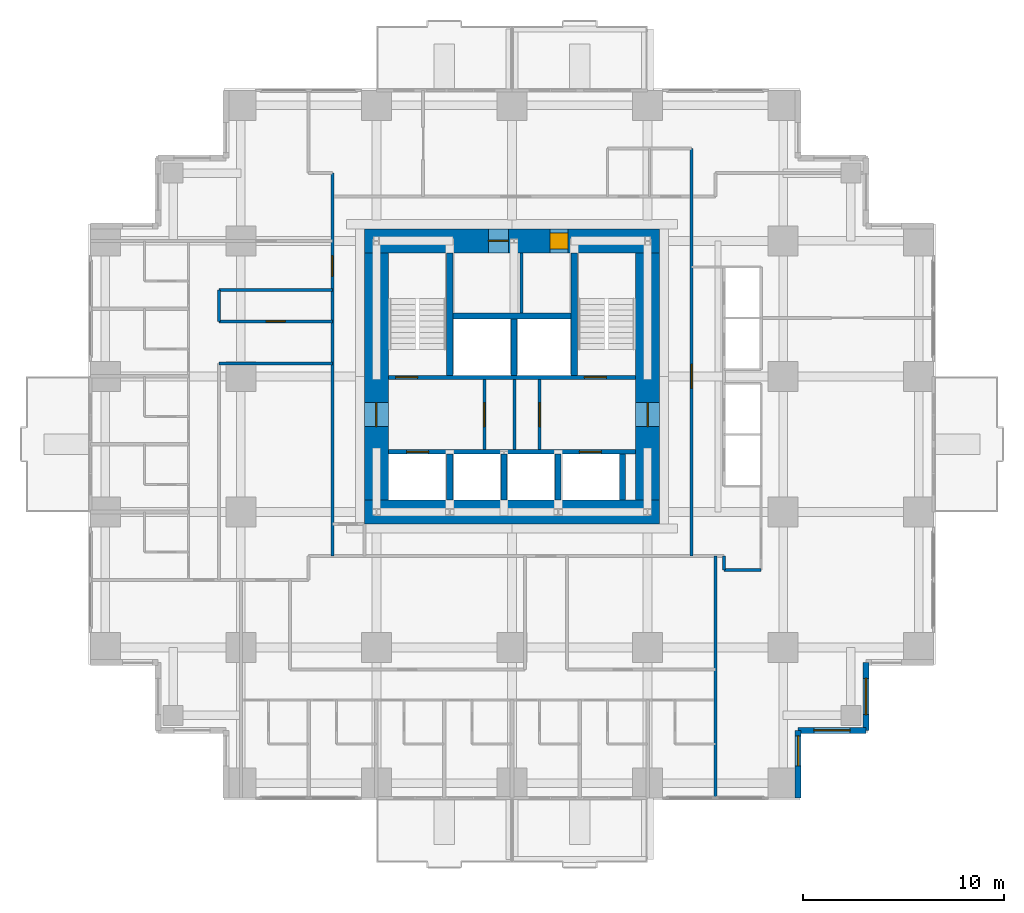
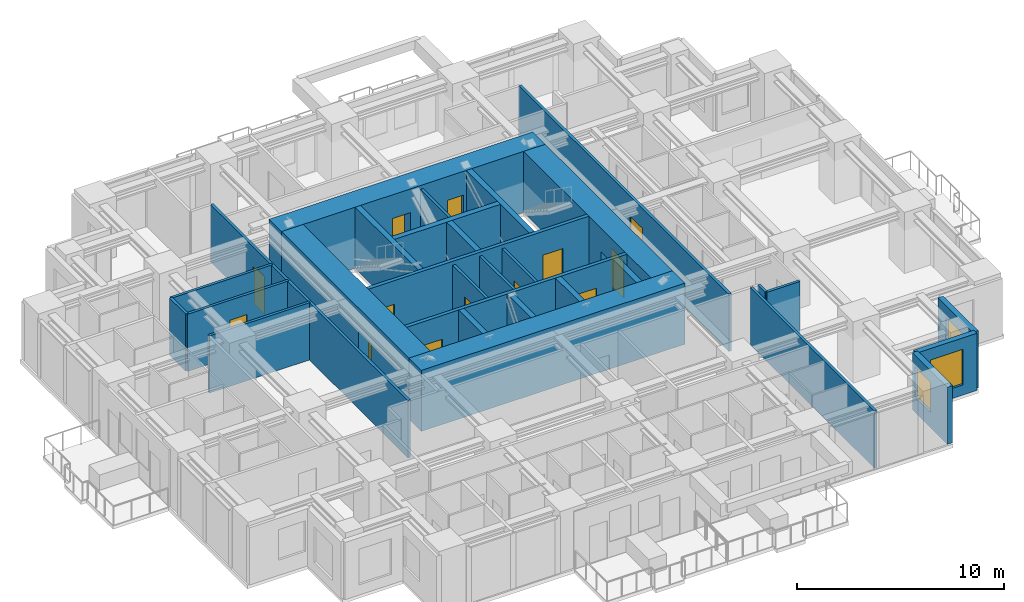
# One storey, part 7 of 11: 30 walls, 13 doors, 3 windows, 16 openings.
"""IFC4 building model written with IfcOpenShell, lengths in metres."""

from ifc_helpers import new_model, si_unit, direction, frame, frame_2d, origin, place, context, subcontext, project, spatial, rectangle, extrude, material, layer, layer_set, type_object, element, fill, save


model = new_model("IFC4")

# Units and contexts
model_context = context("Model", 3, precision=1e-05, world=origin(), true_north=direction((0.0, 1.0)))
body_context = subcontext(model_context, "Body", "Model", "MODEL_VIEW")
ifc_project = project(units=[si_unit("LENGTHUNIT", "METRE"), si_unit("AREAUNIT", "SQUARE_METRE"), si_unit("VOLUMEUNIT", "CUBIC_METRE"), si_unit("PLANEANGLEUNIT", "RADIAN"), si_unit("MASSUNIT", "GRAM", prefix="KILO")], contexts=[model_context])

# Site, building, storey
site_placement = place(None, origin())
site = spatial("IfcSite", under=ifc_project, at=site_placement, CompositionType="ELEMENT")
building_placement = place(site_placement, origin())
building = spatial("IfcBuilding", under=site, at=building_placement, Name="Nyansa Garden Tower", CompositionType="ELEMENT")
storey_placement = place(building_placement, frame((0.0, 0.0, 108.89990234375)))
storey = spatial("IfcBuildingStorey", under=building, at=storey_placement, Name="L29", CompositionType="ELEMENT", Elevation=108.89990234375)

# Wall, openings, doors
ifc_material_1 = material(Name="Concrete C70/85", Category="concrete")
ifc_layer_1 = layer(ifc_material_1, 0.199951171875)
ifc_layer_set_1 = layer_set([ifc_layer_1], Name="Core inner wall CI200")
wall_type_1 = type_object("IfcWallType", Name="Core inner wall CI200", PredefinedType="SHEAR", material=ifc_layer_set_1)
wall_1_placement = place(storey_placement, frame((14.10009765625, 16.5, 0.0), z_axis=(0.0, 0.0, 1.0), x_axis=(1.0, 0.0, 0.0)))
wall_1 = element("IfcWall", 1, at=wall_1_placement, inside=storey, type_object=wall_type_1, Name="Core inner wall L29", PredefinedType="SHEAR", context=body_context, shape_type="SweptSolid", body=[
    extrude(rectangle(XDim=12.2998046875, YDim=0.199951171875, at=frame_2d((6.14990234375, 0.0))), origin(), (0.0, 0.0, 1.0), 3.60009765625),
])
opening_1_placement = place(wall_1_placement, frame((0.89990234375, 0.0, 0.0)))
opening_1 = element("IfcOpeningElement", 2, at=opening_1_placement, cuts=wall_1, Name="Opening LD-F", PredefinedType="OPENING", context=body_context, shape_type="SweptSolid", body=[
    extrude(rectangle(XDim=1.10009765625, YDim=2.199951171875, at=frame_2d((0.550048828125, 1.10009765625))), frame((0.0, 0.10986328125, 0.0), z_axis=(0.0, -1.0, 0.0), x_axis=(1.0, 0.0, 0.0)), (0.0, 0.0, 1.0), 0.219970703125),
])
opening_2_placement = place(wall_1_placement, frame((9.5, 0.0, 0.0)))
opening_2 = element("IfcOpeningElement", 3, at=opening_2_placement, cuts=wall_1, Name="Opening LD-F", PredefinedType="OPENING", context=body_context, shape_type="SweptSolid", body=[
    extrude(rectangle(XDim=1.10009765625, YDim=2.199951171875, at=frame_2d((0.550048828125, 1.10009765625))), frame((0.0, 0.10986328125, 0.0), z_axis=(0.0, -1.0, 0.0), x_axis=(1.0, 0.0, 0.0)), (0.0, 0.0, 1.0), 0.219970703125),
])
ifc_material_2 = material(Name="Stainless steel centre-opening landing door of the firefighting lift, EN 81-72, E 120", Category="steel")
door_type_1 = type_object("IfcDoorType", Name="Lift landing door LD-F 1100x2200", OperationType="DOUBLE_DOOR_SLIDING", PredefinedType="DOOR", material=ifc_material_2)
door_1_placement = place(opening_1_placement, origin())
door_1 = element("IfcDoor", 4, at=door_1_placement, inside=storey, type_object=door_type_1, Name="Landing door FF1", OperationType="DOUBLE_DOOR_SLIDING", OverallHeight=2.199951171875, OverallWidth=1.10009765625, PredefinedType="DOOR", context=body_context, shape_type="SweptSolid", body=[
    extrude(rectangle(XDim=1.10009765625, YDim=2.199951171875, at=frame_2d((0.550048828125, 1.10009765625))), frame((0.0, 0.02490234375, 0.0), z_axis=(0.0, -1.0, 0.0), x_axis=(1.0, 0.0, 0.0)), (0.0, 0.0, 1.0), 0.050048828125),
])
fill(opening_1, door_1)
door_2_placement = place(opening_2_placement, origin())
door_2 = element("IfcDoor", 5, at=door_2_placement, inside=storey, type_object=door_type_1, Name="Landing door FF2", OperationType="DOUBLE_DOOR_SLIDING", OverallHeight=2.199951171875, OverallWidth=1.10009765625, PredefinedType="DOOR", context=body_context, shape_type="SweptSolid", body=[
    extrude(rectangle(XDim=1.10009765625, YDim=2.199951171875, at=frame_2d((0.550048828125, 1.10009765625))), frame((0.0, 0.02490234375, 0.0), z_axis=(0.0, -1.0, 0.0), x_axis=(1.0, 0.0, 0.0)), (0.0, 0.0, 1.0), 0.050048828125),
])
fill(opening_2, door_2)

wall_2_placement = place(storey_placement, frame((14.10009765625, 20.199951171875, 0.0), z_axis=(0.0, 0.0, 1.0), x_axis=(1.0, 0.0, 0.0)))
wall_2 = element("IfcWall", 6, at=wall_2_placement, inside=storey, type_object=wall_type_1, Name="Core inner wall L29", PredefinedType="SHEAR", context=body_context, shape_type="SweptSolid", body=[
    extrude(rectangle(XDim=12.2998046875, YDim=0.199951171875, at=frame_2d((6.14990234375, 0.0))), origin(), (0.0, 0.0, 1.0), 3.60009765625),
])
opening_3_placement = place(wall_2_placement, frame((0.35009765625, 0.0, 0.0)))
opening_3 = element("IfcOpeningElement", 7, at=opening_3_placement, cuts=wall_2, Name="Opening D05", PredefinedType="OPENING", context=body_context, shape_type="SweptSolid", body=[
    extrude(rectangle(XDim=1.10009765625, YDim=2.199951171875, at=frame_2d((0.550048828125, 1.10009765625))), frame((0.0, 0.10986328125, 0.0), z_axis=(0.0, -1.0, 0.0), x_axis=(1.0, 0.0, 0.0)), (0.0, 0.0, 1.0), 0.219970703125),
])
opening_4_placement = place(wall_2_placement, frame((9.75, 0.0, 0.0)))
opening_4 = element("IfcOpeningElement", 8, at=opening_4_placement, cuts=wall_2, Name="Opening D05", PredefinedType="OPENING", context=body_context, shape_type="SweptSolid", body=[
    extrude(rectangle(XDim=1.10009765625, YDim=2.199951171875, at=frame_2d((0.550048828125, 1.10009765625))), frame((0.0, 0.10986328125, 0.0), z_axis=(0.0, -1.0, 0.0), x_axis=(1.0, 0.0, 0.0)), (0.0, 0.0, 1.0), 0.219970703125),
])
ifc_material_3 = material(Name="Steel door, 120 minute fire resisting", Category="steel")
door_type_2 = type_object("IfcDoorType", Name="Stair door D05 1100x2200", OperationType="SINGLE_SWING_LEFT", PredefinedType="DOOR", material=ifc_material_3)
door_3_placement = place(opening_3_placement, origin())
door_3 = element("IfcDoor", 9, at=door_3_placement, inside=storey, type_object=door_type_2, Name="Stair S1 door", OperationType="SINGLE_SWING_LEFT", OverallHeight=2.199951171875, OverallWidth=1.10009765625, PredefinedType="DOOR", context=body_context, shape_type="SweptSolid", body=[
    extrude(rectangle(XDim=1.10009765625, YDim=2.199951171875, at=frame_2d((0.550048828125, 1.10009765625))), frame((0.0, 0.02490234375, 0.0), z_axis=(0.0, -1.0, 0.0), x_axis=(1.0, 0.0, 0.0)), (0.0, 0.0, 1.0), 0.050048828125),
])
fill(opening_3, door_3)
door_4_placement = place(opening_4_placement, origin())
door_4 = element("IfcDoor", 10, at=door_4_placement, inside=storey, type_object=door_type_2, Name="Stair S2 door", OperationType="SINGLE_SWING_LEFT", OverallHeight=2.199951171875, OverallWidth=1.10009765625, PredefinedType="DOOR", context=body_context, shape_type="SweptSolid", body=[
    extrude(rectangle(XDim=1.10009765625, YDim=2.199951171875, at=frame_2d((0.550048828125, 1.10009765625))), frame((0.0, 0.02490234375, 0.0), z_axis=(0.0, -1.0, 0.0), x_axis=(1.0, 0.0, 0.0)), (0.0, 0.0, 1.0), 0.050048828125),
])
fill(opening_4, door_4)

# Walls
ifc_material_4 = material(Name="Concrete C70/85", Category="concrete")
ifc_layer_2 = layer(ifc_material_4, 0.300048828125)
ifc_layer_set_2 = layer_set([ifc_layer_2], Name="Core inner wall CI300")
wall_type_2 = type_object("IfcWallType", Name="Core inner wall CI300", PredefinedType="SHEAR", material=ifc_layer_set_2)
for number, where, z_axis, x_axis, name in (
    (11, (17.14990234375, 20.300048828125, 0.0), (0.0, 0.0, 1.0), (0.0, 1.0, 0.0), "Core inner wall L29"),
    (12, (23.35009765625, 20.300048828125, 0.0), (0.0, 0.0, 1.0), (0.0, 1.0, 0.0), "Core inner wall L29"),
):
    element("IfcWall", number, at=place(storey_placement, frame(where, z_axis=z_axis, x_axis=x_axis)), inside=storey, type_object=wall_type_2, Name=name, PredefinedType="SHEAR", context=body_context, shape_type="SweptSolid", body=[
        extrude(rectangle(XDim=6.099853515625, YDim=0.300048828125, at=frame_2d((3.0498046875, 0.0))), origin(), (0.0, 0.0, 1.0), 3.60009765625),
    ])
wall_3_placement = place(storey_placement, frame((20.35009765625, 20.300048828125, 0.0), z_axis=(0.0, 0.0, 1.0), x_axis=(0.0, 1.0, 0.0)))
element("IfcWall", 13, at=wall_3_placement, inside=storey, type_object=wall_type_2, Name="Core inner wall L29", PredefinedType="SHEAR", context=body_context, shape_type="SweptSolid", body=[
    extrude(rectangle(XDim=2.800048828125, YDim=0.300048828125, at=frame_2d((1.39990234375, 0.0))), origin(), (0.0, 0.0, 1.0), 3.60009765625),
])
wall_4_placement = place(storey_placement, frame((17.300048828125, 23.25, 0.0), z_axis=(0.0, 0.0, 1.0), x_axis=(1.0, 0.0, 0.0)))
element("IfcWall", 14, at=wall_4_placement, inside=storey, type_object=wall_type_2, Name="Core inner wall L29", PredefinedType="SHEAR", context=body_context, shape_type="SweptSolid", body=[
    extrude(rectangle(XDim=5.89990234375, YDim=0.300048828125, at=frame_2d((2.949951171875, 0.0))), origin(), (0.0, 0.0, 1.0), 3.60009765625),
])
for number, where, z_axis, x_axis, name in (
    (15, (17.14990234375, 14.10009765625, 0.0), (0.0, 0.0, 1.0), (0.0, 1.0, 0.0), "Core inner wall L29"),
    (16, (19.85009765625, 14.10009765625, 0.0), (0.0, 0.0, 1.0), (0.0, 1.0, 0.0), "Core inner wall L29"),
    (17, (22.550048828125, 14.10009765625, 0.0), (0.0, 0.0, 1.0), (0.0, 1.0, 0.0), "Core inner wall L29"),
    (18, (25.75, 14.10009765625, 0.0), (0.0, 0.0, 1.0), (0.0, 1.0, 0.0), "Core inner wall L29"),
):
    element("IfcWall", number, at=place(storey_placement, frame(where, z_axis=z_axis, x_axis=x_axis)), inside=storey, type_object=wall_type_2, Name=name, PredefinedType="SHEAR", context=body_context, shape_type="SweptSolid", body=[
        extrude(rectangle(XDim=2.2998046875, YDim=0.300048828125, at=frame_2d((1.14990234375, 0.0))), origin(), (0.0, 0.0, 1.0), 3.60009765625),
    ])
ifc_material_5 = material(Name="Concrete C80/95", Category="concrete")
ifc_layer_3 = layer(ifc_material_5, 1.199951171875)
ifc_layer_set_3 = layer_set([ifc_layer_3], Name="Core wall CW1200")
wall_type_3 = type_object("IfcWallType", Name="Core wall CW1200", PredefinedType="SHEAR", material=ifc_layer_set_3)
wall_5_placement = place(storey_placement, frame((12.89990234375, 13.5, 0.0), z_axis=(0.0, 0.0, 1.0), x_axis=(1.0, 0.0, 0.0)))
element("IfcWall", 19, at=wall_5_placement, inside=storey, type_object=wall_type_3, Name="Core wall S L29", PredefinedType="SHEAR", context=body_context, shape_type="SweptSolid", body=[
    extrude(rectangle(XDim=14.7001953125, YDim=1.199951171875, at=frame_2d((7.35009765625, 0.0))), origin(), (0.0, 0.0, 1.0), 3.60009765625),
])

# Wall, opening, door
wall_6_placement = place(storey_placement, frame((27.0, 14.10009765625, 0.0), z_axis=(0.0, 0.0, 1.0), x_axis=(0.0, 1.0, 0.0)))
wall_6 = element("IfcWall", 20, at=wall_6_placement, inside=storey, type_object=wall_type_3, Name="Core wall E L29", PredefinedType="SHEAR", context=body_context, shape_type="SweptSolid", body=[
    extrude(rectangle(XDim=12.2998046875, YDim=1.199951171875, at=frame_2d((6.14990234375, 0.0))), origin(), (0.0, 0.0, 1.0), 3.60009765625),
])
opening_5_placement = place(wall_6_placement, frame((3.64990234375, 0.0, 0.0)))
opening_5 = element("IfcOpeningElement", 21, at=opening_5_placement, cuts=wall_6, Name="Opening D06", PredefinedType="OPENING", context=body_context, shape_type="SweptSolid", body=[
    extrude(rectangle(XDim=1.199951171875, YDim=2.199951171875, at=frame_2d((0.60009765625, 1.10009765625))), frame((0.0, 0.60986328125, 0.0), z_axis=(0.0, -1.0, 0.0), x_axis=(1.0, 0.0, 0.0)), (0.0, 0.0, 1.0), 1.219970703125),
])
ifc_material_6 = material(Name="Steel door, 120 minute fire resisting", Category="steel")
door_type_3 = type_object("IfcDoorType", Name="Lobby door D06 1200x2200", OperationType="DOUBLE_DOOR_SINGLE_SWING", PredefinedType="DOOR", material=ifc_material_6)
door_5_placement = place(opening_5_placement, origin())
door_5 = element("IfcDoor", 22, at=door_5_placement, inside=storey, type_object=door_type_3, Name="Lift lobby door east", OperationType="DOUBLE_DOOR_SINGLE_SWING", OverallHeight=2.199951171875, OverallWidth=1.199951171875, PredefinedType="DOOR", context=body_context, shape_type="SweptSolid", body=[
    extrude(rectangle(XDim=1.199951171875, YDim=2.199951171875, at=frame_2d((0.60009765625, 1.10009765625))), frame((0.0, 0.02490234375, 0.0), z_axis=(0.0, -1.0, 0.0), x_axis=(1.0, 0.0, 0.0)), (0.0, 0.0, 1.0), 0.050048828125),
])
fill(opening_5, door_5)

# Wall, openings, doors
wall_7_placement = place(storey_placement, frame((27.60009765625, 27.0, 0.0), z_axis=(0.0, 0.0, 1.0), x_axis=(-1.0, 0.0, 0.0)))
wall_7 = element("IfcWall", 23, at=wall_7_placement, inside=storey, type_object=wall_type_3, Name="Core wall N L29", PredefinedType="SHEAR", context=body_context, shape_type="SweptSolid", body=[
    extrude(rectangle(XDim=14.7001953125, YDim=1.199951171875, at=frame_2d((7.35009765625, 0.0))), origin(), (0.0, 0.0, 1.0), 3.60009765625),
])
opening_6_placement = place(wall_7_placement, frame((4.550048828125, 0.0, 0.0)))
opening_6 = element("IfcOpeningElement", 24, at=opening_6_placement, cuts=wall_7, Name="Opening D15", PredefinedType="OPENING", context=body_context, shape_type="SweptSolid", body=[
    extrude(rectangle(XDim=0.89990234375, YDim=2.199951171875, at=frame_2d((0.449951171875, 1.10009765625))), frame((0.0, 0.60986328125, 0.0), z_axis=(0.0, -1.0, 0.0), x_axis=(1.0, 0.0, 0.0)), (0.0, 0.0, 1.0), 1.219970703125),
])
opening_7_placement = place(wall_7_placement, frame((7.52490234375, 0.0, 0.0)))
opening_7 = element("IfcOpeningElement", 25, at=opening_7_placement, cuts=wall_7, Name="Opening D07", PredefinedType="OPENING", context=body_context, shape_type="SweptSolid", body=[
    extrude(rectangle(XDim=1.0, YDim=2.199951171875, at=frame_2d((0.5, 1.10009765625))), frame((0.0, 0.60986328125, 0.0), z_axis=(0.0, -1.0, 0.0), x_axis=(1.0, 0.0, 0.0)), (0.0, 0.0, 1.0), 1.219970703125),
])
ifc_material_7 = material(Name="Timber flush door, 60 minute fire resisting, self-closing", Category="wood")
door_type_4 = type_object("IfcDoorType", Name="Core room door D15 900x2200", OperationType="SINGLE_SWING_LEFT", PredefinedType="DOOR", material=ifc_material_7)
door_6_placement = place(opening_6_placement, origin())
door_6 = element("IfcDoor", 26, at=door_6_placement, inside=storey, type_object=door_type_4, Name="Core room door", OperationType="SINGLE_SWING_LEFT", OverallHeight=2.199951171875, OverallWidth=0.89990234375, PredefinedType="DOOR", context=body_context, shape_type="SweptSolid", body=[
    extrude(rectangle(XDim=0.89990234375, YDim=2.199951171875, at=frame_2d((0.449951171875, 1.10009765625))), frame((0.0, 0.39990234375, 0.0), z_axis=(0.0, -1.0, 0.0), x_axis=(1.0, 0.0, 0.0)), (0.0, 0.0, 1.0), 0.800048828125),
])
fill(opening_6, door_6)
ifc_material_8 = material(Name="Steel door, 120 minute fire resisting", Category="steel")
door_type_5 = type_object("IfcDoorType", Name="Riser door D07 1000x2200", OperationType="SINGLE_SWING_LEFT", PredefinedType="DOOR", material=ifc_material_8)
door_7_placement = place(opening_7_placement, origin())
door_7 = element("IfcDoor", 27, at=door_7_placement, inside=storey, type_object=door_type_5, Name="Riser and refuse room door", OperationType="SINGLE_SWING_LEFT", OverallHeight=2.199951171875, OverallWidth=1.0, PredefinedType="DOOR", context=body_context, shape_type="SweptSolid", body=[
    extrude(rectangle(XDim=1.0, YDim=2.199951171875, at=frame_2d((0.5, 1.10009765625))), frame((0.0, 0.02490234375, 0.0), z_axis=(0.0, -1.0, 0.0), x_axis=(1.0, 0.0, 0.0)), (0.0, 0.0, 1.0), 0.050048828125),
])
fill(opening_7, door_7)

# Wall, opening, door
wall_8_placement = place(storey_placement, frame((13.5, 26.39990234375, 0.0), z_axis=(0.0, 0.0, 1.0), x_axis=(0.0, -1.0, 0.0)))
wall_8 = element("IfcWall", 28, at=wall_8_placement, inside=storey, type_object=wall_type_3, Name="Core wall W L29", PredefinedType="SHEAR", context=body_context, shape_type="SweptSolid", body=[
    extrude(rectangle(XDim=12.2998046875, YDim=1.199951171875, at=frame_2d((6.14990234375, 0.0))), origin(), (0.0, 0.0, 1.0), 3.60009765625),
])
opening_8_placement = place(wall_8_placement, frame((7.449951171875, 0.0, 0.0)))
opening_8 = element("IfcOpeningElement", 29, at=opening_8_placement, cuts=wall_8, Name="Opening D06", PredefinedType="OPENING", context=body_context, shape_type="SweptSolid", body=[
    extrude(rectangle(XDim=1.199951171875, YDim=2.199951171875, at=frame_2d((0.60009765625, 1.10009765625))), frame((0.0, 0.60986328125, 0.0), z_axis=(0.0, -1.0, 0.0), x_axis=(1.0, 0.0, 0.0)), (0.0, 0.0, 1.0), 1.219970703125),
])
door_8_placement = place(opening_8_placement, origin())
door_8 = element("IfcDoor", 30, at=door_8_placement, inside=storey, type_object=door_type_3, Name="Lift lobby door west", OperationType="DOUBLE_DOOR_SINGLE_SWING", OverallHeight=2.199951171875, OverallWidth=1.199951171875, PredefinedType="DOOR", context=body_context, shape_type="SweptSolid", body=[
    extrude(rectangle(XDim=1.199951171875, YDim=2.199951171875, at=frame_2d((0.60009765625, 1.10009765625))), frame((0.0, 0.02490234375, 0.0), z_axis=(0.0, -1.0, 0.0), x_axis=(1.0, 0.0, 0.0)), (0.0, 0.0, 1.0), 0.050048828125),
])
fill(opening_8, door_8)

ifc_material_9 = material(Name="Blockwork, plastered both sides", Category="masonry")
ifc_layer_4 = layer(ifc_material_9, 0.14990234375)
ifc_layer_set_4 = layer_set([ifc_layer_4], Name="Partition PW150")
wall_type_4 = type_object("IfcWallType", Name="Partition PW150", PredefinedType="PARTITIONING", material=ifc_layer_set_4)
wall_9_placement = place(storey_placement, frame((18.875, 16.60009765625, 0.0), z_axis=(0.0, 0.0, 1.0), x_axis=(0.0, 1.0, 0.0)))
wall_9 = element("IfcWall", 31, at=wall_9_placement, inside=storey, type_object=wall_type_4, Name="Partition", PredefinedType="PARTITIONING", context=body_context, shape_type="SweptSolid", body=[
    extrude(rectangle(XDim=3.5, YDim=0.14990234375, at=frame_2d((1.75, 0.0))), origin(), (0.0, 0.0, 1.0), 3.375),
])
opening_9_placement = place(wall_9_placement, frame((1.14990234375, 0.0, 0.0)))
opening_9 = element("IfcOpeningElement", 32, at=opening_9_placement, cuts=wall_9, Name="Opening D06", PredefinedType="OPENING", context=body_context, shape_type="SweptSolid", body=[
    extrude(rectangle(XDim=1.199951171875, YDim=2.199951171875, at=frame_2d((0.60009765625, 1.10009765625))), frame((0.0, 0.0849609375, 0.0), z_axis=(0.0, -1.0, 0.0), x_axis=(1.0, 0.0, 0.0)), (0.0, 0.0, 1.0), 0.169921875),
])
door_9_placement = place(opening_9_placement, origin())
door_9 = element("IfcDoor", 33, at=door_9_placement, inside=storey, type_object=door_type_3, Name="Passenger lift lobby door", OperationType="DOUBLE_DOOR_SINGLE_SWING", OverallHeight=2.199951171875, OverallWidth=1.199951171875, PredefinedType="DOOR", context=body_context, shape_type="SweptSolid", body=[
    extrude(rectangle(XDim=1.199951171875, YDim=2.199951171875, at=frame_2d((0.60009765625, 1.10009765625))), frame((0.0, 0.02490234375, 0.0), z_axis=(0.0, -1.0, 0.0), x_axis=(1.0, 0.0, 0.0)), (0.0, 0.0, 1.0), 0.050048828125),
])
fill(opening_9, door_9)

wall_10_placement = place(storey_placement, frame((21.625, 16.60009765625, 0.0), z_axis=(0.0, 0.0, 1.0), x_axis=(0.0, 1.0, 0.0)))
wall_10 = element("IfcWall", 34, at=wall_10_placement, inside=storey, type_object=wall_type_4, Name="Partition", PredefinedType="PARTITIONING", context=body_context, shape_type="SweptSolid", body=[
    extrude(rectangle(XDim=3.5, YDim=0.14990234375, at=frame_2d((1.75, 0.0))), origin(), (0.0, 0.0, 1.0), 3.375),
])
opening_10_placement = place(wall_10_placement, frame((1.14990234375, 0.0, 0.0)))
opening_10 = element("IfcOpeningElement", 35, at=opening_10_placement, cuts=wall_10, Name="Opening D06", PredefinedType="OPENING", context=body_context, shape_type="SweptSolid", body=[
    extrude(rectangle(XDim=1.199951171875, YDim=2.199951171875, at=frame_2d((0.60009765625, 1.10009765625))), frame((0.0, 0.0849609375, 0.0), z_axis=(0.0, -1.0, 0.0), x_axis=(1.0, 0.0, 0.0)), (0.0, 0.0, 1.0), 0.169921875),
])
door_10_placement = place(opening_10_placement, origin())
door_10 = element("IfcDoor", 36, at=door_10_placement, inside=storey, type_object=door_type_3, Name="Passenger lift lobby door", OperationType="DOUBLE_DOOR_SINGLE_SWING", OverallHeight=2.199951171875, OverallWidth=1.199951171875, PredefinedType="DOOR", context=body_context, shape_type="SweptSolid", body=[
    extrude(rectangle(XDim=1.199951171875, YDim=2.199951171875, at=frame_2d((0.60009765625, 1.10009765625))), frame((0.0, 0.02490234375, 0.0), z_axis=(0.0, -1.0, 0.0), x_axis=(1.0, 0.0, 0.0)), (0.0, 0.0, 1.0), 0.050048828125),
])
fill(opening_10, door_10)

# Walls
wall_11_placement = place(storey_placement, frame((20.3798828125, 16.60009765625, 0.0), z_axis=(0.0, 0.0, 1.0), x_axis=(0.0, 1.0, 0.0)))
element("IfcWall", 37, at=wall_11_placement, inside=storey, type_object=wall_type_4, Name="Partition", PredefinedType="PARTITIONING", context=body_context, shape_type="SweptSolid", body=[
    extrude(rectangle(XDim=3.5, YDim=0.14990234375, at=frame_2d((1.75, 0.0))), origin(), (0.0, 0.0, 1.0), 3.375),
])
wall_12_placement = place(storey_placement, frame((20.72509765625, 23.39990234375, 0.0), z_axis=(0.0, 0.0, 1.0), x_axis=(0.0, 1.0, 0.0)))
element("IfcWall", 38, at=wall_12_placement, inside=storey, type_object=wall_type_4, Name="Partition", PredefinedType="PARTITIONING", context=body_context, shape_type="SweptSolid", body=[
    extrude(rectangle(XDim=3.0, YDim=0.14990234375, at=frame_2d((1.5, 0.0))), origin(), (0.0, 0.0, 1.0), 3.375),
])
wall_13_placement = place(storey_placement, frame((5.64990234375, 20.886962890625, 0.0), z_axis=(0.0, 0.0, 1.0), x_axis=(1.0, 0.0, 0.0)))
element("IfcWall", 39, at=wall_13_placement, inside=storey, type_object=wall_type_4, Name="Partition", PredefinedType="PARTITIONING", context=body_context, shape_type="SweptSolid", body=[
    extrude(rectangle(XDim=5.650146484375, YDim=0.14990234375, at=frame_2d((2.8251953125, 0.0))), origin(), (0.0, 0.0, 1.0), 3.375),
])
wall_14_placement = place(storey_placement, frame((5.64990234375, 22.987548828125, 0.0), z_axis=(0.0, 0.0, 1.0), x_axis=(0.0, 1.0, 0.0)))
element("IfcWall", 40, at=wall_14_placement, inside=storey, type_object=wall_type_4, Name="Partition", PredefinedType="PARTITIONING", context=body_context, shape_type="SweptSolid", body=[
    extrude(rectangle(XDim=1.5625, YDim=0.14990234375, at=frame_2d((0.78125, 0.0))), origin(), (0.0, 0.0, 1.0), 3.375),
])

# Wall, opening, door
wall_15_placement = place(storey_placement, frame((5.64990234375, 22.988037109375, 0.0), z_axis=(0.0, 0.0, 1.0), x_axis=(1.0, 0.0, 0.0)))
wall_15 = element("IfcWall", 41, at=wall_15_placement, inside=storey, type_object=wall_type_4, Name="Partition", PredefinedType="PARTITIONING", context=body_context, shape_type="SweptSolid", body=[
    extrude(rectangle(XDim=5.650146484375, YDim=0.14990234375, at=frame_2d((2.8251953125, 0.0))), origin(), (0.0, 0.0, 1.0), 3.375),
])
opening_11_placement = place(wall_15_placement, frame((2.35009765625, 0.0, 0.0)))
opening_11 = element("IfcOpeningElement", 42, at=opening_11_placement, cuts=wall_15, Name="Opening D01", PredefinedType="OPENING", context=body_context, shape_type="SweptSolid", body=[
    extrude(rectangle(XDim=0.949951171875, YDim=2.199951171875, at=frame_2d((0.47509765625, 1.10009765625))), frame((0.0, 0.0849609375, 0.0), z_axis=(0.0, -1.0, 0.0), x_axis=(1.0, 0.0, 0.0)), (0.0, 0.0, 1.0), 0.169921875),
])
ifc_material_10 = material(Name="Timber flush door, 30 minute fire resisting", Category="wood")
door_type_6 = type_object("IfcDoorType", Name="Bedroom door D01 950x2200", OperationType="SINGLE_SWING_LEFT", PredefinedType="DOOR", material=ifc_material_10)
door_11_placement = place(opening_11_placement, origin())
door_11 = element("IfcDoor", 43, at=door_11_placement, inside=storey, type_object=door_type_6, Name="Door L29-056", OperationType="SINGLE_SWING_LEFT", OverallHeight=2.199951171875, OverallWidth=0.949951171875, PredefinedType="DOOR", context=body_context, shape_type="SweptSolid", body=[
    extrude(rectangle(XDim=0.949951171875, YDim=2.199951171875, at=frame_2d((0.47509765625, 1.10009765625))), frame((0.0, 0.02490234375, 0.0), z_axis=(0.0, -1.0, 0.0), x_axis=(1.0, 0.0, 0.0)), (0.0, 0.0, 1.0), 0.050048828125),
])
fill(opening_11, door_11)

# Wall
wall_16_placement = place(storey_placement, frame((5.64990234375, 24.550048828125, 0.0), z_axis=(0.0, 0.0, 1.0), x_axis=(1.0, 0.0, 0.0)))
element("IfcWall", 44, at=wall_16_placement, inside=storey, type_object=wall_type_4, Name="Partition", PredefinedType="PARTITIONING", context=body_context, shape_type="SweptSolid", body=[
    extrude(rectangle(XDim=5.650146484375, YDim=0.14990234375, at=frame_2d((2.8251953125, 0.0))), origin(), (0.0, 0.0, 1.0), 3.375),
])

# Wall, opening, door
wall_17_placement = place(storey_placement, frame((11.300048828125, 11.300048828125, 0.0), z_axis=(0.0, 0.0, 1.0), x_axis=(0.0, 1.0, 0.0)))
wall_17 = element("IfcWall", 45, at=wall_17_placement, inside=storey, type_object=wall_type_4, Name="Partition", PredefinedType="PARTITIONING", context=body_context, shape_type="SweptSolid", body=[
    extrude(rectangle(XDim=19.074951171875, YDim=0.14990234375, at=frame_2d((9.53759765625, 0.0))), origin(), (0.0, 0.0, 1.0), 3.375),
])
opening_12_placement = place(wall_17_placement, frame((13.949951171875, 0.0, 0.0)))
opening_12 = element("IfcOpeningElement", 46, at=opening_12_placement, cuts=wall_17, Name="Opening D03", PredefinedType="OPENING", context=body_context, shape_type="SweptSolid", body=[
    extrude(rectangle(XDim=1.0, YDim=2.199951171875, at=frame_2d((0.5, 1.10009765625))), frame((0.0, 0.0849609375, 0.0), z_axis=(0.0, -1.0, 0.0), x_axis=(1.0, 0.0, 0.0)), (0.0, 0.0, 1.0), 0.169921875),
])
ifc_material_11 = material(Name="Timber flush door, 60 minute fire resisting", Category="wood")
door_type_7 = type_object("IfcDoorType", Name="Cluster entrance door D03 1000x2200", OperationType="SINGLE_SWING_LEFT", PredefinedType="DOOR", material=ifc_material_11)
door_12_placement = place(opening_12_placement, origin())
door_12 = element("IfcDoor", 47, at=door_12_placement, inside=storey, type_object=door_type_7, Name="Door L29-055", OperationType="SINGLE_SWING_LEFT", OverallHeight=2.199951171875, OverallWidth=1.0, PredefinedType="DOOR", context=body_context, shape_type="SweptSolid", body=[
    extrude(rectangle(XDim=1.0, YDim=2.199951171875, at=frame_2d((0.5, 1.10009765625))), frame((0.0, 0.02490234375, 0.0), z_axis=(0.0, -1.0, 0.0), x_axis=(1.0, 0.0, 0.0)), (0.0, 0.0, 1.0), 0.050048828125),
])
fill(opening_12, door_12)

wall_18_placement = place(storey_placement, frame((29.199951171875, 11.300048828125, 0.0), z_axis=(0.0, 0.0, 1.0), x_axis=(0.0, 1.0, 0.0)))
wall_18 = element("IfcWall", 48, at=wall_18_placement, inside=storey, type_object=wall_type_4, Name="Partition", PredefinedType="PARTITIONING", context=body_context, shape_type="SweptSolid", body=[
    extrude(rectangle(XDim=20.300048828125, YDim=0.14990234375, at=frame_2d((10.14990234375, 0.0))), origin(), (0.0, 0.0, 1.0), 3.375),
])
opening_13_placement = place(wall_18_placement, frame((8.35009765625, 0.0, 0.0)))
opening_13 = element("IfcOpeningElement", 49, at=opening_13_placement, cuts=wall_18, Name="Opening D06", PredefinedType="OPENING", context=body_context, shape_type="SweptSolid", body=[
    extrude(rectangle(XDim=1.199951171875, YDim=2.199951171875, at=frame_2d((0.60009765625, 1.10009765625))), frame((0.0, 0.0849609375, 0.0), z_axis=(0.0, -1.0, 0.0), x_axis=(1.0, 0.0, 0.0)), (0.0, 0.0, 1.0), 0.169921875),
])
door_13_placement = place(opening_13_placement, origin())
door_13 = element("IfcDoor", 50, at=door_13_placement, inside=storey, type_object=door_type_3, Name="Low-rise lift lobby door", OperationType="DOUBLE_DOOR_SINGLE_SWING", OverallHeight=2.199951171875, OverallWidth=1.199951171875, PredefinedType="DOOR", context=body_context, shape_type="SweptSolid", body=[
    extrude(rectangle(XDim=1.199951171875, YDim=2.199951171875, at=frame_2d((0.60009765625, 1.10009765625))), frame((0.0, 0.02490234375, 0.0), z_axis=(0.0, -1.0, 0.0), x_axis=(1.0, 0.0, 0.0)), (0.0, 0.0, 1.0), 0.050048828125),
])
fill(opening_13, door_13)

# Walls
wall_19_placement = place(storey_placement, frame((30.375, -0.73388671875, 0.0), z_axis=(0.0, 0.0, 1.0), x_axis=(0.0, 1.0, 0.0)))
element("IfcWall", 51, at=wall_19_placement, inside=storey, type_object=wall_type_4, Name="Partition", PredefinedType="PARTITIONING", context=body_context, shape_type="SweptSolid", body=[
    extrude(rectangle(XDim=12.033935546875, YDim=0.14990234375, at=frame_2d((6.01708984375, 0.0))), origin(), (0.0, 0.0, 1.0), 3.375),
])
wall_20_placement = place(storey_placement, frame((30.800048828125, 10.60009765625, 0.0), z_axis=(0.0, 0.0, 1.0), x_axis=(0.0, 1.0, 0.0)))
element("IfcWall", 52, at=wall_20_placement, inside=storey, type_object=wall_type_4, Name="Partition", PredefinedType="PARTITIONING", context=body_context, shape_type="SweptSolid", body=[
    extrude(rectangle(XDim=0.699951171875, YDim=0.14990234375, at=frame_2d((0.35009765625, 0.0))), origin(), (0.0, 0.0, 1.0), 3.375),
])
wall_21_placement = place(storey_placement, frame((30.800048828125, 10.60009765625, 0.0), z_axis=(0.0, 0.0, 1.0), x_axis=(1.0, 0.0, 0.0)))
element("IfcWall", 53, at=wall_21_placement, inside=storey, type_object=wall_type_4, Name="Partition", PredefinedType="PARTITIONING", context=body_context, shape_type="SweptSolid", body=[
    extrude(rectangle(XDim=1.849853515625, YDim=0.14990234375, at=frame_2d((0.9248046875, 0.0))), origin(), (0.0, 0.0, 1.0), 3.375),
])

# Wall, opening, window
ifc_material_12 = material(Name="Turquoise glazed tile on concrete blockwork", Category="masonry")
ifc_layer_5 = layer(ifc_material_12, 0.300048828125)
ifc_layer_set_5 = layer_set([ifc_layer_5], Name="Tiled corner wall TW300")
wall_type_5 = type_object("IfcWallType", Name="Tiled corner wall TW300", PredefinedType="SOLIDWALL", material=ifc_layer_set_5)
wall_22_placement = place(storey_placement, frame((34.5, -0.75, 0.0), z_axis=(0.0, 0.0, 1.0), x_axis=(0.0, 1.0, 0.0)))
wall_22 = element("IfcWall", 54, at=wall_22_placement, inside=storey, type_object=wall_type_5, Name="Tiled corner wall L29", PredefinedType="SOLIDWALL", context=body_context, shape_type="SweptSolid", body=[
    extrude(rectangle(XDim=3.375, YDim=0.300048828125, at=frame_2d((1.6875, 0.0))), origin(), (0.0, 0.0, 1.0), 3.375),
])
opening_14_placement = place(wall_22_placement, frame((1.607421875, 0.0, 0.89990234375)))
opening_14 = element("IfcOpeningElement", 55, at=opening_14_placement, cuts=wall_22, Name="Opening W1", PredefinedType="OPENING", context=body_context, shape_type="SweptSolid", body=[
    extrude(rectangle(XDim=1.5, YDim=1.800048828125, at=frame_2d((0.75, 0.89990234375))), frame((0.0, 0.159912109375, 0.0), z_axis=(0.0, -1.0, 0.0), x_axis=(1.0, 0.0, 0.0)), (0.0, 0.0, 1.0), 0.320068359375),
])
ifc_material_13 = material(Name="Black aluminium frame, dark tinted double glazing", Category="aluminium")
window_type_1 = type_object("IfcWindowType", Name="Window W1 1500x1800", PartitioningType="SINGLE_PANEL", PredefinedType="WINDOW", material=ifc_material_13)
window_1_placement = place(opening_14_placement, origin())
window_1 = element("IfcWindow", 56, at=window_1_placement, inside=storey, type_object=window_type_1, Name="Corner window L29", OverallHeight=1.800048828125, OverallWidth=1.5, PartitioningType="SINGLE_PANEL", PredefinedType="WINDOW", context=body_context, shape_type="SweptSolid", body=[
    extrude(rectangle(XDim=1.5, YDim=1.800048828125, at=frame_2d((0.75, 0.89990234375))), frame((0.0, 0.030029296875, 0.0), z_axis=(0.0, -1.0, 0.0), x_axis=(1.0, 0.0, 0.0)), (0.0, 0.0, 1.0), 0.06005859375),
])
fill(opening_14, window_1)

wall_23_placement = place(storey_placement, frame((34.5, 2.625, 0.0), z_axis=(0.0, 0.0, 1.0), x_axis=(1.0, 0.0, 0.0)))
wall_23 = element("IfcWall", 57, at=wall_23_placement, inside=storey, type_object=wall_type_5, Name="Tiled corner wall L29", PredefinedType="SOLIDWALL", context=body_context, shape_type="SweptSolid", body=[
    extrude(rectangle(XDim=3.375, YDim=0.300048828125, at=frame_2d((1.6875, 0.0))), origin(), (0.0, 0.0, 1.0), 3.375),
])
opening_15_placement = place(wall_23_placement, frame((0.78759765625, 0.0, 0.60009765625)))
opening_15 = element("IfcOpeningElement", 58, at=opening_15_placement, cuts=wall_23, Name="Opening W2", PredefinedType="OPENING", context=body_context, shape_type="SweptSolid", body=[
    extrude(rectangle(XDim=1.800048828125, YDim=2.10009765625, at=frame_2d((0.89990234375, 1.050048828125))), frame((0.0, 0.159912109375, 0.0), z_axis=(0.0, -1.0, 0.0), x_axis=(1.0, 0.0, 0.0)), (0.0, 0.0, 1.0), 0.320068359375),
])
ifc_material_14 = material(Name="Black aluminium frame, dark tinted double glazing", Category="aluminium")
window_type_2 = type_object("IfcWindowType", Name="Window W2 1800x2100", PartitioningType="SINGLE_PANEL", PredefinedType="WINDOW", material=ifc_material_14)
window_2_placement = place(opening_15_placement, origin())
window_2 = element("IfcWindow", 59, at=window_2_placement, inside=storey, type_object=window_type_2, Name="Corner window L29", OverallHeight=2.10009765625, OverallWidth=1.800048828125, PartitioningType="SINGLE_PANEL", PredefinedType="WINDOW", context=body_context, shape_type="SweptSolid", body=[
    extrude(rectangle(XDim=1.800048828125, YDim=2.10009765625, at=frame_2d((0.89990234375, 1.050048828125))), frame((0.0, 0.030029296875, 0.0), z_axis=(0.0, -1.0, 0.0), x_axis=(1.0, 0.0, 0.0)), (0.0, 0.0, 1.0), 0.06005859375),
])
fill(opening_15, window_2)

wall_24_placement = place(storey_placement, frame((37.875, 2.625, 0.0), z_axis=(0.0, 0.0, 1.0), x_axis=(0.0, 1.0, 0.0)))
wall_24 = element("IfcWall", 60, at=wall_24_placement, inside=storey, type_object=wall_type_5, Name="Tiled corner wall L29", PredefinedType="SOLIDWALL", context=body_context, shape_type="SweptSolid", body=[
    extrude(rectangle(XDim=3.375, YDim=0.300048828125, at=frame_2d((1.6875, 0.0))), origin(), (0.0, 0.0, 1.0), 3.375),
])
opening_16_placement = place(wall_24_placement, frame((0.78759765625, 0.0, 0.60009765625)))
opening_16 = element("IfcOpeningElement", 61, at=opening_16_placement, cuts=wall_24, Name="Opening W2", PredefinedType="OPENING", context=body_context, shape_type="SweptSolid", body=[
    extrude(rectangle(XDim=1.800048828125, YDim=2.10009765625, at=frame_2d((0.89990234375, 1.050048828125))), frame((0.0, 0.159912109375, 0.0), z_axis=(0.0, -1.0, 0.0), x_axis=(1.0, 0.0, 0.0)), (0.0, 0.0, 1.0), 0.320068359375),
])
window_3_placement = place(opening_16_placement, origin())
window_3 = element("IfcWindow", 62, at=window_3_placement, inside=storey, type_object=window_type_2, Name="Corner window L29", OverallHeight=2.10009765625, OverallWidth=1.800048828125, PartitioningType="SINGLE_PANEL", PredefinedType="WINDOW", context=body_context, shape_type="SweptSolid", body=[
    extrude(rectangle(XDim=1.800048828125, YDim=2.10009765625, at=frame_2d((0.89990234375, 1.050048828125))), frame((0.0, 0.030029296875, 0.0), z_axis=(0.0, -1.0, 0.0), x_axis=(1.0, 0.0, 0.0)), (0.0, 0.0, 1.0), 0.06005859375),
])
fill(opening_16, window_3)

save(model, "model.ifc")
